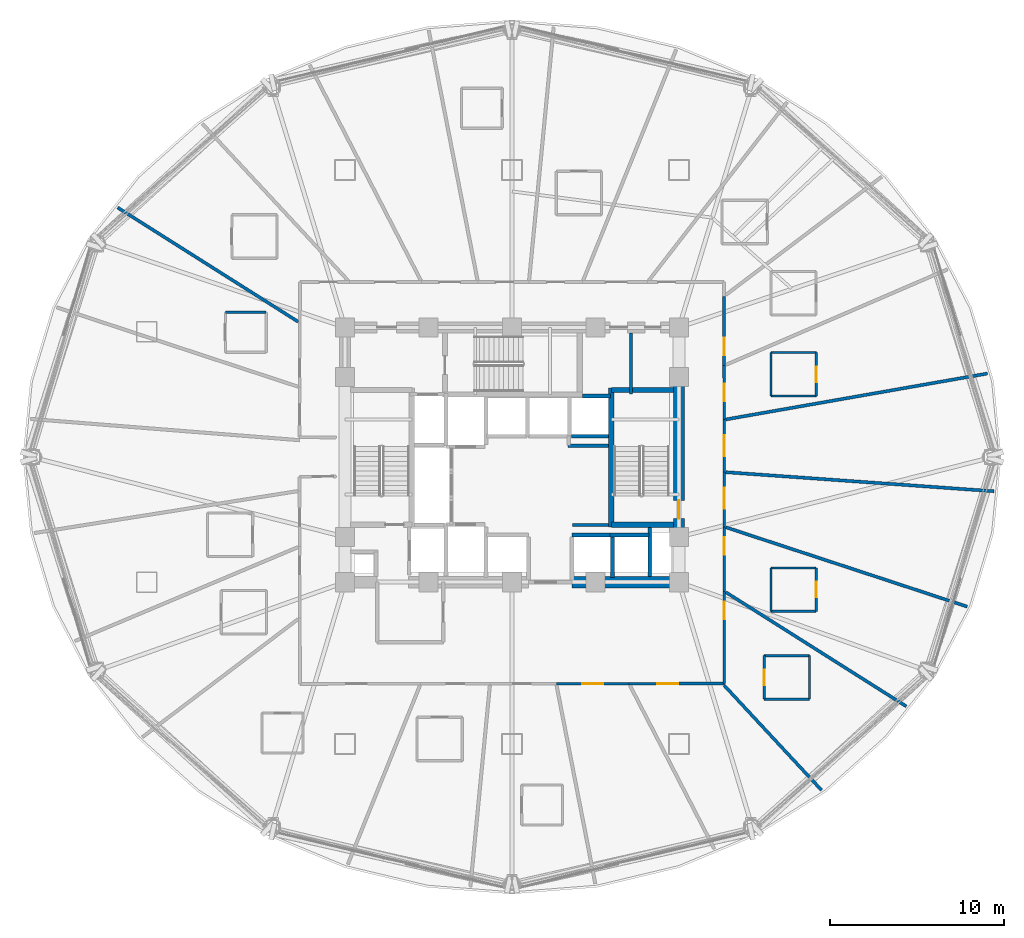
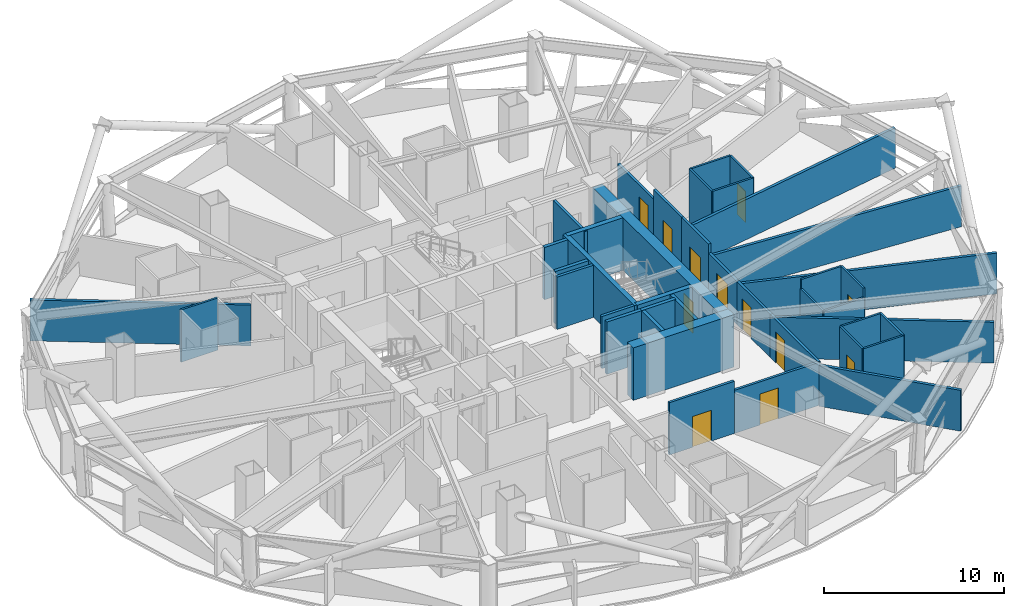
# One storey, part 9 of 16: 41 walls, 12 doors, 12 openings.
"""IFC4 building model written with IfcOpenShell, lengths in metres."""

import ifcopenshell
import ifcopenshell.guid

model = None  # the IFC model being written
_history = None  # IfcOwnerHistory: only IFC2X3 demands one
_inside = {}  # id of a spatial element -> (the spatial element, [elements in it])
_under = {}  # id of a project, library or spatial element -> (it, [spatial elements below it])
_declared = {}  # id of a project -> (the project, [libraries it declares])
_typed = {}  # id of a type object -> (the type object, [elements of that type])
_made_of = {}  # id of a material, layer set ... -> (it, [elements and type objects made of it])


def new_model(schema):
    """Start an empty IFC model of exactly this schema.

    Asked for "IFC4X3", IfcOpenShell would pick the latest addendum, in which some entities
    have other attributes; the version numbers below select the first issue.
    IFC2X3 requires an IfcOwnerHistory on every rooted entity: one is made here for all.
    """
    global model, _history
    if schema == "IFC4X3":
        model = ifcopenshell.file(schema_version=(4, 3, 0, 0))
    else:
        model = ifcopenshell.file(schema=schema)
    _inside.clear()
    _under.clear()
    _declared.clear()
    _typed.clear()
    _made_of.clear()
    _history = None
    if model.schema == "IFC2X3":
        org = make("IfcOrganization", Name="unknown")
        user = make(
            "IfcPersonAndOrganization",
            ThePerson=make("IfcPerson", FamilyName="unknown"),
            TheOrganization=org,
        )
        app = make(
            "IfcApplication",
            ApplicationDeveloper=org,
            Version="unknown",
            ApplicationFullName="unknown",
            ApplicationIdentifier="unknown",
        )
        _history = make(
            "IfcOwnerHistory",
            OwningUser=user,
            OwningApplication=app,
            ChangeAction="ADDED",
            CreationDate=0,
        )
    return model


def make(cls, **values):
    """One entity of the class cls with the attributes given. An attribute that is None is left unset."""
    return model.create_entity(
        cls, **{name: value for name, value in values.items() if value is not None}
    )


def rooted(cls, **values):
    """An entity with a GlobalId (a new one), such as an element, a storey or a relation."""
    return make(cls, GlobalId=ifcopenshell.guid.new(), OwnerHistory=_history, **values)


def si_unit(unit_type, name, prefix=None):
    """IfcSIUnit, for example si_unit("LENGTHUNIT", "METRE", prefix="MILLI")."""
    return make("IfcSIUnit", UnitType=unit_type, Prefix=prefix, Name=name)


def assignment(units):
    """IfcUnitAssignment: the units of a project."""
    return None if units is None else make("IfcUnitAssignment", Units=units)


def point(xyz):
    """IfcCartesianPoint."""
    return None if xyz is None else make("IfcCartesianPoint", Coordinates=xyz)


def direction(xyz):
    """IfcDirection."""
    return None if xyz is None else make("IfcDirection", DirectionRatios=xyz)


def frame(location, z_axis=None, x_axis=None):
    """IfcAxis2Placement3D, a coordinate frame: its origin and axes. An axis left out is left unset."""
    return make(
        "IfcAxis2Placement3D",
        Location=point(location),
        Axis=direction(z_axis),
        RefDirection=direction(x_axis),
    )


def frame_2d(location, x_axis=None):
    """IfcAxis2Placement2D, a coordinate frame in the plane: its origin and x axis."""
    return make(
        "IfcAxis2Placement2D", Location=point(location), RefDirection=direction(x_axis)
    )


def origin():
    """The frame at (0, 0, 0) with its axes left unset."""
    return frame((0.0, 0.0, 0.0))


def place(relative_to, where):
    """IfcLocalPlacement: puts the frame where relative to a parent placement (None: the world)."""
    return make(
        "IfcLocalPlacement", PlacementRelTo=relative_to, RelativePlacement=where
    )


def context(
    kind, dimensions, precision=None, world=None, true_north=None, identifier=None
):
    """IfcGeometricRepresentationContext, for example the 3D "Model" context."""
    return make(
        "IfcGeometricRepresentationContext",
        ContextIdentifier=identifier,
        ContextType=kind,
        CoordinateSpaceDimension=dimensions,
        Precision=precision,
        WorldCoordinateSystem=world,
        TrueNorth=true_north,
    )


def subcontext(parent, identifier, kind, view, scale=None):
    """IfcGeometricRepresentationSubContext, for example "Body" below "Model"."""
    return make(
        "IfcGeometricRepresentationSubContext",
        ContextIdentifier=identifier,
        ContextType=kind,
        ParentContext=parent,
        TargetScale=scale,
        TargetView=view,
    )


def project(units=None, contexts=None):
    """IfcProject with its units and contexts."""
    return rooted(
        "IfcProject",
        Name="project",
        RepresentationContexts=contexts,
        UnitsInContext=assignment(units),
    )


def spatial(cls, under=None, at=None, **own):
    """A site, building, storey or space (cls), placed at a placement, below another one or the project."""
    s = rooted(cls, ObjectPlacement=at, **own)
    if under is not None:
        _under.setdefault(under.id(), (under, []))[1].append(s)
    return s


def profile(cls, at=None, kind="AREA", **sizes):
    """A parametric profile (cls). Its sizes go by their IFC names, for example OverallWidth=200.0."""
    return make(cls, ProfileType=kind, Position=at, **sizes)


def rectangle(**sizes):
    """IfcRectangleProfileDef."""
    return profile("IfcRectangleProfileDef", **sizes)


def extrude(swept, where, along, depth):
    """IfcExtrudedAreaSolid: the profile swept, set in the frame where, extruded along a direction by depth."""
    return make(
        "IfcExtrudedAreaSolid",
        SweptArea=swept,
        Position=where,
        ExtrudedDirection=direction(along),
        Depth=depth,
    )


def shape(context_of_items, identifier, shape_type, items):
    """IfcShapeRepresentation: the items that make up one representation, for example the "Body"."""
    return make(
        "IfcShapeRepresentation",
        ContextOfItems=context_of_items,
        RepresentationIdentifier=identifier,
        RepresentationType=shape_type,
        Items=items,
    )


def material(Name=None, Category=None):
    """IfcMaterial."""
    return make("IfcMaterial", Name=Name, Category=Category)


def layer(
    of_material, thickness, ventilated=None, Name=None, Category=None, Priority=None
):
    """IfcMaterialLayer: one layer of a wall or slab, of a material (None: an air gap)."""
    return make(
        "IfcMaterialLayer",
        Material=of_material,
        LayerThickness=thickness,
        IsVentilated=ventilated,
        Name=Name,
        Category=Category,
        Priority=Priority,
    )


def layer_set(layers, Name=None):
    """IfcMaterialLayerSet."""
    return make("IfcMaterialLayerSet", MaterialLayers=layers, LayerSetName=Name)


def made_of(thing, what):
    """Note that an element or type object is made of a material, layer set ...; save() writes the relation."""
    if what is not None:
        _made_of.setdefault(what.id(), (what, []))[1].append(thing)
    return thing


def type_object(cls, material=None, **own):
    """A type object (cls), such as IfcWallType, which elements share."""
    return made_of(rooted(cls, **own), material)


def element(
    cls,
    number,
    at=None,
    inside=None,
    cuts=None,
    type_object=None,
    material=None,
    context=None,
    identifier="Body",
    shape_type=None,
    held_by="IfcProductDefinitionShape",
    body=None,
    shapes=None,
    **own,
):
    """One element of the class cls, such as IfcWall. Its Tag is "e" and its number.

    at: its placement. inside: the storey or other place that contains it. cuts: it is an
    opening in that element (IfcRelVoidsElement). A single representation is given by context,
    identifier, shape_type and body (its items); several are given by shapes. held_by: the class
    of the entity that holds the representations. save() writes the other relations.
    """
    e = rooted(cls, Tag="e%d" % number, ObjectPlacement=at, **own)
    if body is not None:
        shapes = [shape(context, identifier, shape_type, body)]
    if shapes is not None:
        e.Representation = make(held_by, Representations=shapes)
    if inside is not None:
        _inside.setdefault(inside.id(), (inside, []))[1].append(e)
    if cuts is not None:
        rooted(
            "IfcRelVoidsElement", RelatingBuildingElement=cuts, RelatedOpeningElement=e
        )
    if type_object is not None:
        _typed.setdefault(type_object.id(), (type_object, []))[1].append(e)
    return made_of(e, material)


def fill(opening, filler):
    """IfcRelFillsElement: the door or window that sits in an opening."""
    return rooted(
        "IfcRelFillsElement",
        RelatingOpeningElement=opening,
        RelatedBuildingElement=filler,
    )


def aggregate(whole, parts):
    """IfcRelAggregates: a whole, such as a stair, and the parts it consists of."""
    return rooted("IfcRelAggregates", RelatingObject=whole, RelatedObjects=parts)


def save(model, path):
    """Write the relations noted so far, then the file.

    IfcRelAggregates (storeys below a building ...), IfcRelContainedInSpatialStructure (elements
    in a storey), IfcRelDefinesByType, IfcRelAssociatesMaterial and IfcRelDeclares: one each for
    every whole, place, type object, material and project.
    """
    for whole, parts in _under.values():
        aggregate(whole, parts)
    for where, things in _inside.values():
        rooted(
            "IfcRelContainedInSpatialStructure",
            RelatedElements=things,
            RelatingStructure=where,
        )
    for kind, things in _typed.values():
        rooted("IfcRelDefinesByType", RelatedObjects=things, RelatingType=kind)
    for what, things in _made_of.values():
        rooted("IfcRelAssociatesMaterial", RelatedObjects=things, RelatingMaterial=what)
    for by, libraries in _declared.values():
        rooted("IfcRelDeclares", RelatingContext=by, RelatedDefinitions=libraries)
    model.write(path)


model = new_model("IFC4")

# Units and contexts
model_context = context("Model", 3, precision=1e-05, world=origin(), true_north=direction((0.0, 1.0)))
body_context = subcontext(model_context, "Body", "Model", "MODEL_VIEW")
ifc_project = project(units=[si_unit("LENGTHUNIT", "METRE"), si_unit("AREAUNIT", "SQUARE_METRE"), si_unit("VOLUMEUNIT", "CUBIC_METRE"), si_unit("PLANEANGLEUNIT", "RADIAN"), si_unit("MASSUNIT", "GRAM", prefix="KILO")], contexts=[model_context])

# Site, building, storey
site_placement = place(None, origin())
site = spatial("IfcSite", under=ifc_project, at=site_placement, CompositionType="ELEMENT")
building_placement = place(site_placement, origin())
building = spatial("IfcBuilding", under=site, at=building_placement, Name="Vantalir Tower", CompositionType="ELEMENT")
storey_placement = place(building_placement, frame((0.0, 0.0, 64.5)))
storey = spatial("IfcBuildingStorey", under=building, at=storey_placement, Name="L15", CompositionType="ELEMENT", Elevation=64.5)

# Walls
ifc_material_1 = material(Name="Moisture-resistant en-suite partition", Category="gypsum")
ifc_layer_1 = layer(ifc_material_1, 0.125)
ifc_layer_set_1 = layer_set([ifc_layer_1], Name="Moisture-resistant en-suite partition")
wall_type_1 = type_object("IfcWallType", Name="WL-BATH-125", PredefinedType="PARTITIONING", material=ifc_layer_set_1)
for number, where, z_axis, x_axis, name in (
    (1, (46.39697265625, 28.5009765625, 0.0), (0.0, 0.0, 1.0), (1.0, 0.0, 0.0), "L15 En-suite 01 South Wall"),
    (2, (46.39697265625, 31.0009765625, 0.0), (0.0, 0.0, 1.0), (1.0, 0.0, 0.0), "L15 En-suite 01 North Wall"),
):
    element("IfcWall", number, at=place(storey_placement, frame(where, z_axis=z_axis, x_axis=x_axis)), inside=storey, type_object=wall_type_1, Name=name, PredefinedType="PARTITIONING", context=body_context, shape_type="SweptSolid", body=[
        extrude(rectangle(XDim=2.60009765625, YDim=0.125, at=frame_2d((1.300048828125, 0.0))), origin(), (0.0, 0.0, 1.0), 3.550048828125),
    ])
wall_1_placement = place(storey_placement, frame((46.39697265625, 28.5009765625, 0.0), z_axis=(0.0, 0.0, 1.0), x_axis=(0.0, 1.0, 0.0)))
element("IfcWall", 3, at=wall_1_placement, inside=storey, type_object=wall_type_1, Name="L15 En-suite 01 West Wall", PredefinedType="PARTITIONING", context=body_context, shape_type="SweptSolid", body=[
    extrude(rectangle(XDim=2.5, YDim=0.125, at=frame_2d((1.25, 0.0))), origin(), (0.0, 0.0, 1.0), 3.550048828125),
])

# Wall, opening, door
wall_2_placement = place(storey_placement, frame((48.9970703125, 28.5009765625, 0.0), z_axis=(0.0, 0.0, 1.0), x_axis=(0.0, 1.0, 0.0)))
wall_2 = element("IfcWall", 4, at=wall_2_placement, inside=storey, type_object=wall_type_1, Name="L15 En-suite 01 East Wall", PredefinedType="PARTITIONING", context=body_context, shape_type="SweptSolid", body=[
    extrude(rectangle(XDim=2.5, YDim=0.125, at=frame_2d((1.25, 0.0))), origin(), (0.0, 0.0, 1.0), 3.550048828125),
])
opening_1_placement = place(wall_2_placement, frame((0.800048828125, 0.0, 0.0)))
opening_1 = element("IfcOpeningElement", 5, at=opening_1_placement, cuts=wall_2, Name="Opening D-WC", PredefinedType="OPENING", context=body_context, shape_type="SweptSolid", body=[
    extrude(rectangle(XDim=0.89990234375, YDim=2.10009765625, at=frame_2d((0.449951171875, 1.050048828125))), frame((0.0, 0.072509765625, 0.0), z_axis=(0.0, -1.0, 0.0), x_axis=(1.0, 0.0, 0.0)), (0.0, 0.0, 1.0), 0.14501953125),
])
ifc_material_2 = material(Name="Moisture-resistant hardwood door", Category="wood")
door_type_1 = type_object("IfcDoorType", Name="DR-ENSUITE-900", OperationType="NOTDEFINED", PredefinedType="DOOR", material=ifc_material_2)
door_1_placement = place(opening_1_placement, origin())
door_1 = element("IfcDoor", 6, at=door_1_placement, inside=storey, type_object=door_type_1, Name="L15 En-suite 01 Door", OperationType="SINGLE_SWING_LEFT", OverallHeight=2.10009765625, OverallWidth=0.89990234375, PredefinedType="DOOR", context=body_context, shape_type="SweptSolid", body=[
    extrude(rectangle(XDim=0.89990234375, YDim=2.10009765625, at=frame_2d((0.449951171875, 1.050048828125))), frame((0.0, 0.02490234375, 0.0), z_axis=(0.0, -1.0, 0.0), x_axis=(1.0, 0.0, 0.0)), (0.0, 0.0, 1.0), 0.050048828125),
])
fill(opening_1, door_1)

# Walls
wall_3_placement = place(storey_placement, frame((15.01904296875, 33.322021484375, 0.0), z_axis=(0.0, 0.0, 1.0), x_axis=(1.0, 0.0, 0.0)))
element("IfcWall", 7, at=wall_3_placement, inside=storey, type_object=wall_type_1, Name="L15 En-suite 10 North Wall", PredefinedType="PARTITIONING", context=body_context, shape_type="SweptSolid", body=[
    extrude(rectangle(XDim=2.349853515625, YDim=0.125, at=frame_2d((1.1748046875, 0.0))), origin(), (0.0, 0.0, 1.0), 3.550048828125),
])
for number, where, z_axis, x_axis, name in (
    (8, (46.001953125, 11.073974609375, 0.0), (0.0, 0.0, 1.0), (1.0, 0.0, 0.0), "L15 En-suite 20 South Wall"),
    (9, (46.001953125, 13.573974609375, 0.0), (0.0, 0.0, 1.0), (1.0, 0.0, 0.0), "L15 En-suite 20 North Wall"),
):
    element("IfcWall", number, at=place(storey_placement, frame(where, z_axis=z_axis, x_axis=x_axis)), inside=storey, type_object=wall_type_1, Name=name, PredefinedType="PARTITIONING", context=body_context, shape_type="SweptSolid", body=[
        extrude(rectangle(XDim=2.60009765625, YDim=0.125, at=frame_2d((1.300048828125, 0.0))), origin(), (0.0, 0.0, 1.0), 3.550048828125),
    ])

# Wall, opening, door
wall_4_placement = place(storey_placement, frame((46.001953125, 11.073974609375, 0.0), z_axis=(0.0, 0.0, 1.0), x_axis=(0.0, 1.0, 0.0)))
wall_4 = element("IfcWall", 10, at=wall_4_placement, inside=storey, type_object=wall_type_1, Name="L15 En-suite 20 West Wall", PredefinedType="PARTITIONING", context=body_context, shape_type="SweptSolid", body=[
    extrude(rectangle(XDim=2.5, YDim=0.125, at=frame_2d((1.25, 0.0))), origin(), (0.0, 0.0, 1.0), 3.550048828125),
])
opening_2_placement = place(wall_4_placement, frame((0.800048828125, 0.0, 0.0)))
opening_2 = element("IfcOpeningElement", 11, at=opening_2_placement, cuts=wall_4, Name="Opening D-WC", PredefinedType="OPENING", context=body_context, shape_type="SweptSolid", body=[
    extrude(rectangle(XDim=0.89990234375, YDim=2.10009765625, at=frame_2d((0.449951171875, 1.050048828125))), frame((0.0, 0.072509765625, 0.0), z_axis=(0.0, -1.0, 0.0), x_axis=(1.0, 0.0, 0.0)), (0.0, 0.0, 1.0), 0.14501953125),
])
door_2_placement = place(opening_2_placement, frame((0.89990234375, 0.0, 0.0), z_axis=(0.0, 0.0, 1.0), x_axis=(-1.0, 0.0, 0.0)))
door_2 = element("IfcDoor", 12, at=door_2_placement, inside=storey, type_object=door_type_1, Name="L15 En-suite 20 Door", OperationType="SINGLE_SWING_RIGHT", OverallHeight=2.10009765625, OverallWidth=0.89990234375, PredefinedType="DOOR", context=body_context, shape_type="SweptSolid", body=[
    extrude(rectangle(XDim=0.89990234375, YDim=2.10009765625, at=frame_2d((0.449951171875, 1.050048828125))), frame((0.0, 0.02490234375, 0.0), z_axis=(0.0, -1.0, 0.0), x_axis=(1.0, 0.0, 0.0)), (0.0, 0.0, 1.0), 0.050048828125),
])
fill(opening_2, door_2)

# Walls
wall_5_placement = place(storey_placement, frame((48.60205078125, 11.073974609375, 0.0), z_axis=(0.0, 0.0, 1.0), x_axis=(0.0, 1.0, 0.0)))
element("IfcWall", 13, at=wall_5_placement, inside=storey, type_object=wall_type_1, Name="L15 En-suite 20 East Wall", PredefinedType="PARTITIONING", context=body_context, shape_type="SweptSolid", body=[
    extrude(rectangle(XDim=2.5, YDim=0.125, at=frame_2d((1.25, 0.0))), origin(), (0.0, 0.0, 1.0), 3.550048828125),
])
wall_6_placement = place(storey_placement, frame((46.39111328125, 16.1259765625, 0.0), z_axis=(0.0, 0.0, 1.0), x_axis=(1.0, 0.0, 0.0)))
element("IfcWall", 14, at=wall_6_placement, inside=storey, type_object=wall_type_1, Name="L15 En-suite 21 South Wall", PredefinedType="PARTITIONING", context=body_context, shape_type="SweptSolid", body=[
    extrude(rectangle(XDim=2.599853515625, YDim=0.125, at=frame_2d((1.2998046875, 0.0))), origin(), (0.0, 0.0, 1.0), 2.927978515625),
])
wall_7_placement = place(storey_placement, frame((46.39111328125, 18.6259765625, 0.0), z_axis=(0.0, 0.0, 1.0), x_axis=(1.0, 0.0, 0.0)))
element("IfcWall", 15, at=wall_7_placement, inside=storey, type_object=wall_type_1, Name="L15 En-suite 21 North Wall", PredefinedType="PARTITIONING", context=body_context, shape_type="SweptSolid", body=[
    extrude(rectangle(XDim=2.599853515625, YDim=0.125, at=frame_2d((1.2998046875, 0.0))), origin(), (0.0, 0.0, 1.0), 3.550048828125),
])
wall_8_placement = place(storey_placement, frame((46.39111328125, 16.1259765625, 0.0), z_axis=(0.0, 0.0, 1.0), x_axis=(0.0, 1.0, 0.0)))
element("IfcWall", 16, at=wall_8_placement, inside=storey, type_object=wall_type_1, Name="L15 En-suite 21 West Wall", PredefinedType="PARTITIONING", context=body_context, shape_type="SweptSolid", body=[
    extrude(rectangle(XDim=2.5, YDim=0.125, at=frame_2d((1.25, 0.0))), origin(), (0.0, 0.0, 1.0), 2.927978515625),
])

# Wall, opening, door
wall_9_placement = place(storey_placement, frame((48.990966796875, 16.1259765625, 0.0), z_axis=(0.0, 0.0, 1.0), x_axis=(0.0, 1.0, 0.0)))
wall_9 = element("IfcWall", 17, at=wall_9_placement, inside=storey, type_object=wall_type_1, Name="L15 En-suite 21 East Wall", PredefinedType="PARTITIONING", context=body_context, shape_type="SweptSolid", body=[
    extrude(rectangle(XDim=2.5, YDim=0.125, at=frame_2d((1.25, 0.0))), origin(), (0.0, 0.0, 1.0), 3.550048828125),
])
opening_3_placement = place(wall_9_placement, frame((0.800048828125, 0.0, 0.0)))
opening_3 = element("IfcOpeningElement", 18, at=opening_3_placement, cuts=wall_9, Name="Opening D-WC", PredefinedType="OPENING", context=body_context, shape_type="SweptSolid", body=[
    extrude(rectangle(XDim=0.89990234375, YDim=2.10009765625, at=frame_2d((0.449951171875, 1.050048828125))), frame((0.0, 0.072509765625, 0.0), z_axis=(0.0, -1.0, 0.0), x_axis=(1.0, 0.0, 0.0)), (0.0, 0.0, 1.0), 0.14501953125),
])
door_3_placement = place(opening_3_placement, origin())
door_3 = element("IfcDoor", 19, at=door_3_placement, inside=storey, type_object=door_type_1, Name="L15 En-suite 21 Door", OperationType="SINGLE_SWING_LEFT", OverallHeight=2.10009765625, OverallWidth=0.89990234375, PredefinedType="DOOR", context=body_context, shape_type="SweptSolid", body=[
    extrude(rectangle(XDim=0.89990234375, YDim=2.10009765625, at=frame_2d((0.449951171875, 1.050048828125))), frame((0.0, 0.02490234375, 0.0), z_axis=(0.0, -1.0, 0.0), x_axis=(1.0, 0.0, 0.0)), (0.0, 0.0, 1.0), 0.050048828125),
])
fill(opening_3, door_3)

# Wall
ifc_material_3 = material(Name="Concrete C60/75", Category="concrete")
ifc_layer_2 = layer(ifc_material_3, 0.64990234375)
ifc_layer_set_2 = layer_set([ifc_layer_2], Name="Concrete C60/75")
wall_type_2 = type_object("IfcWallType", Name="WL-CORE-650", PredefinedType="SHEAR", material=ifc_layer_set_2)
wall_10_placement = place(storey_placement, frame((34.949951171875, 17.800048828125, 0.0), z_axis=(0.0, 0.0, 1.0), x_axis=(1.0, 0.0, 0.0)))
element("IfcWall", 20, at=wall_10_placement, inside=storey, type_object=wall_type_2, Name="L15 Core Shear Wall South-East", PredefinedType="SHEAR", context=body_context, shape_type="SweptSolid", body=[
    extrude(rectangle(XDim=6.47509765625, YDim=0.64990234375, at=frame_2d((3.237548828125, 0.0))), origin(), (0.0, 0.0, 1.0), 3.570068359375),
])

# Wall, opening, door
wall_11_placement = place(storey_placement, frame((41.10009765625, 18.125, 0.0), z_axis=(0.0, 0.0, 1.0), x_axis=(0.0, 1.0, 0.0)))
wall_11 = element("IfcWall", 21, at=wall_11_placement, inside=storey, type_object=wall_type_2, Name="L15 Core Shear Wall East", PredefinedType="SHEAR", context=body_context, shape_type="SweptSolid", body=[
    extrude(rectangle(XDim=14.0, YDim=0.64990234375, at=frame_2d((7.0, 0.0))), origin(), (0.0, 0.0, 1.0), 3.570068359375),
])
opening_4_placement = place(wall_11_placement, frame((3.3349609375, 0.0, 0.0)))
opening_4 = element("IfcOpeningElement", 22, at=opening_4_placement, cuts=wall_11, Name="Opening D-ST", PredefinedType="OPENING", context=body_context, shape_type="SweptSolid", body=[
    extrude(rectangle(XDim=1.050048828125, YDim=2.10009765625, at=frame_2d((0.52490234375, 1.050048828125))), frame((0.0, 0.3349609375, 0.0), z_axis=(0.0, -1.0, 0.0), x_axis=(1.0, 0.0, 0.0)), (0.0, 0.0, 1.0), 0.669921875),
])
ifc_material_4 = material(Name="Fire-rated steel door leaf", Category="steel")
door_type_2 = type_object("IfcDoorType", Name="DR-FIRE-STAIR-1050", OperationType="NOTDEFINED", PredefinedType="DOOR", material=ifc_material_4)
door_4_placement = place(opening_4_placement, origin())
door_4 = element("IfcDoor", 23, at=door_4_placement, inside=storey, type_object=door_type_2, Name="L15 Exit Stair ST2 Fire Door", OperationType="SINGLE_SWING_LEFT", OverallHeight=2.10009765625, OverallWidth=1.050048828125, PredefinedType="DOOR", context=body_context, shape_type="SweptSolid", body=[
    extrude(rectangle(XDim=1.050048828125, YDim=2.10009765625, at=frame_2d((0.52490234375, 1.050048828125))), frame((0.0, 0.02490234375, 0.0), z_axis=(0.0, -1.0, 0.0), x_axis=(1.0, 0.0, 0.0)), (0.0, 0.0, 1.0), 0.050048828125),
])
fill(opening_4, door_4)

ifc_material_5 = material(Name="Fire-rated hotel corridor acoustic partition", Category="gypsum")
ifc_layer_3 = layer(ifc_material_5, 0.159912109375)
ifc_layer_set_3 = layer_set([ifc_layer_3], Name="Fire-rated hotel corridor acoustic partition")
wall_type_3 = type_object("IfcWallType", Name="WL-CORR-160", PredefinedType="PARTITIONING", material=ifc_layer_set_3)
wall_12_placement = place(storey_placement, frame((43.694091796875, 34.241943359375, 0.0), z_axis=(0.0, 0.0, 1.0), x_axis=(0.00073479865, -0.999999730035, 0.0)))
wall_12 = element("IfcWall", 24, at=wall_12_placement, inside=storey, type_object=wall_type_3, Name="L15 Corridor Partition 13", PredefinedType="PARTITIONING", context=body_context, shape_type="SweptSolid", body=[
    extrude(rectangle(XDim=3.987060546875, YDim=0.159912109375, at=frame_2d((1.99365234375, 0.0))), origin(), (0.0, 0.0, 1.0), 2.887939453125),
])
opening_5_placement = place(wall_12_placement, frame((2.383056640625, 0.0, 0.0)))
opening_5 = element("IfcOpeningElement", 25, at=opening_5_placement, cuts=wall_12, Name="Opening D-GUEST", PredefinedType="OPENING", context=body_context, shape_type="SweptSolid", body=[
    extrude(rectangle(XDim=1.0, YDim=2.10009765625, at=frame_2d((0.5, 1.050048828125))), frame((0.0, 0.08984375, 0.0), z_axis=(0.0, -1.0, 0.0), x_axis=(1.0, 0.0, 0.0)), (0.0, 0.0, 1.0), 0.179931640625),
])
ifc_material_6 = material(Name="Solid-core teak veneer acoustic fire door", Category="wood")
door_type_3 = type_object("IfcDoorType", Name="DR-GUEST-ENTRY-1000", OperationType="NOTDEFINED", PredefinedType="DOOR", material=ifc_material_6)
door_5_placement = place(opening_5_placement, origin())
door_5 = element("IfcDoor", 26, at=door_5_placement, inside=storey, type_object=door_type_3, Name="L15 Deluxe King Hotel Room 02 Door", OperationType="SINGLE_SWING_RIGHT", OverallHeight=2.10009765625, OverallWidth=1.0, PredefinedType="DOOR", context=body_context, shape_type="SweptSolid", body=[
    extrude(rectangle(XDim=1.0, YDim=2.10009765625, at=frame_2d((0.5, 1.050048828125))), frame((0.0, 0.02490234375, 0.0), z_axis=(0.0, -1.0, 0.0), x_axis=(1.0, 0.0, 0.0)), (0.0, 0.0, 1.0), 0.050048828125),
])
fill(opening_5, door_5)

wall_13_placement = place(storey_placement, frame((43.697021484375, 30.2548828125, 0.0), z_axis=(0.0, 0.0, 1.0), x_axis=(0.000627450857, -0.999999803153, 0.0)))
wall_13 = element("IfcWall", 27, at=wall_13_placement, inside=storey, type_object=wall_type_3, Name="L15 Corridor Partition 14", PredefinedType="PARTITIONING", context=body_context, shape_type="SweptSolid", body=[
    extrude(rectangle(XDim=3.11279296875, YDim=0.159912109375, at=frame_2d((1.556396484375, 0.0))), origin(), (0.0, 0.0, 1.0), 3.550048828125),
])
opening_6_placement = place(wall_13_placement, frame((1.056884765625, 0.0, 0.0)))
opening_6 = element("IfcOpeningElement", 28, at=opening_6_placement, cuts=wall_13, Name="Opening D-GUEST", PredefinedType="OPENING", context=body_context, shape_type="SweptSolid", body=[
    extrude(rectangle(XDim=1.0, YDim=2.10009765625, at=frame_2d((0.5, 1.050048828125))), frame((0.0, 0.08984375, 0.0), z_axis=(0.0, -1.0, 0.0), x_axis=(1.0, 0.0, 0.0)), (0.0, 0.0, 1.0), 0.179931640625),
])
door_6_placement = place(opening_6_placement, origin())
door_6 = element("IfcDoor", 29, at=door_6_placement, inside=storey, type_object=door_type_3, Name="L15 Twin Queen Hotel Room 01 Door", OperationType="SINGLE_SWING_LEFT", OverallHeight=2.10009765625, OverallWidth=1.0, PredefinedType="DOOR", context=body_context, shape_type="SweptSolid", body=[
    extrude(rectangle(XDim=1.0, YDim=2.10009765625, at=frame_2d((0.5, 1.050048828125))), frame((0.0, 0.02490234375, 0.0), z_axis=(0.0, -1.0, 0.0), x_axis=(1.0, 0.0, 0.0)), (0.0, 0.0, 1.0), 0.050048828125),
])
fill(opening_6, door_6)

wall_14_placement = place(storey_placement, frame((43.698974609375, 27.14208984375, 0.0), z_axis=(0.0, 0.0, 1.0), x_axis=(0.00097363037, -0.999999526022, 0.0)))
wall_14 = element("IfcWall", 30, at=wall_14_placement, inside=storey, type_object=wall_type_3, Name="L15 Corridor Partition 15", PredefinedType="PARTITIONING", context=body_context, shape_type="SweptSolid", body=[
    extrude(rectangle(XDim=3.009033203125, YDim=0.159912109375, at=frame_2d((1.50439453125, 0.0))), origin(), (0.0, 0.0, 1.0), 3.550048828125),
])
opening_7_placement = place(wall_14_placement, frame((0.905029296875, 0.0, 0.0)))
opening_7 = element("IfcOpeningElement", 31, at=opening_7_placement, cuts=wall_14, Name="Opening D-STE", PredefinedType="OPENING", context=body_context, shape_type="SweptSolid", body=[
    extrude(rectangle(XDim=1.199951171875, YDim=2.10009765625, at=frame_2d((0.60009765625, 1.050048828125))), frame((0.0, 0.08984375, 0.0), z_axis=(0.0, -1.0, 0.0), x_axis=(1.0, 0.0, 0.0)), (0.0, 0.0, 1.0), 0.179931640625),
])
ifc_material_7 = material(Name="Solid-core teak veneer suite entrance door", Category="wood")
door_type_4 = type_object("IfcDoorType", Name="DR-SUITE-ENTRY-1200", OperationType="NOTDEFINED", PredefinedType="DOOR", material=ifc_material_7)
door_7_placement = place(opening_7_placement, origin())
door_7 = element("IfcDoor", 32, at=door_7_placement, inside=storey, type_object=door_type_4, Name="L15 Executive Sky Boardroom 23 Door", OperationType="SINGLE_SWING_LEFT", OverallHeight=2.10009765625, OverallWidth=1.199951171875, PredefinedType="DOOR", context=body_context, shape_type="SweptSolid", body=[
    extrude(rectangle(XDim=1.199951171875, YDim=2.10009765625, at=frame_2d((0.60009765625, 1.050048828125))), frame((0.0, 0.02490234375, 0.0), z_axis=(0.0, -1.0, 0.0), x_axis=(1.0, 0.0, 0.0)), (0.0, 0.0, 1.0), 0.050048828125),
])
fill(opening_7, door_7)

wall_15_placement = place(storey_placement, frame((43.701904296875, 24.133056640625, 0.0), z_axis=(0.0, 0.0, 1.0), x_axis=(0.000698649108, -0.999999755945, 0.0)))
wall_15 = element("IfcWall", 33, at=wall_15_placement, inside=storey, type_object=wall_type_3, Name="L15 Corridor Partition 16", PredefinedType="PARTITIONING", context=body_context, shape_type="SweptSolid", body=[
    extrude(rectangle(XDim=3.14501953125, YDim=0.159912109375, at=frame_2d((1.572509765625, 0.0))), origin(), (0.0, 0.0, 1.0), 2.927978515625),
])
opening_8_placement = place(wall_15_placement, frame((0.89892578125, 0.0, 0.0)))
opening_8 = element("IfcOpeningElement", 34, at=opening_8_placement, cuts=wall_15, Name="Opening D-STE", PredefinedType="OPENING", context=body_context, shape_type="SweptSolid", body=[
    extrude(rectangle(XDim=1.199951171875, YDim=2.10009765625, at=frame_2d((0.60009765625, 1.050048828125))), frame((0.0, 0.08984375, 0.0), z_axis=(0.0, -1.0, 0.0), x_axis=(1.0, 0.0, 0.0)), (0.0, 0.0, 1.0), 0.179931640625),
])
door_8_placement = place(opening_8_placement, origin())
door_8 = element("IfcDoor", 35, at=door_8_placement, inside=storey, type_object=door_type_4, Name="L15 Club Reading Lounge 22 Door", OperationType="SINGLE_SWING_RIGHT", OverallHeight=2.10009765625, OverallWidth=1.199951171875, PredefinedType="DOOR", context=body_context, shape_type="SweptSolid", body=[
    extrude(rectangle(XDim=1.199951171875, YDim=2.10009765625, at=frame_2d((0.60009765625, 1.050048828125))), frame((0.0, 0.02490234375, 0.0), z_axis=(0.0, -1.0, 0.0), x_axis=(1.0, 0.0, 0.0)), (0.0, 0.0, 1.0), 0.050048828125),
])
fill(opening_8, door_8)

wall_16_placement = place(storey_placement, frame((43.7041015625, 20.988037109375, 0.0), z_axis=(0.0, 0.0, 1.0), x_axis=(0.000790097199, -0.999999687873, 0.0)))
wall_16 = element("IfcWall", 36, at=wall_16_placement, inside=storey, type_object=wall_type_3, Name="L15 Corridor Partition 17", PredefinedType="PARTITIONING", context=body_context, shape_type="SweptSolid", body=[
    extrude(rectangle(XDim=3.7080078125, YDim=0.159912109375, at=frame_2d((1.85400390625, 0.0))), origin(), (0.0, 0.0, 1.0), 2.927978515625),
])
opening_9_placement = place(wall_16_placement, frame((0.60791015625, 0.0, 0.0)))
opening_9 = element("IfcOpeningElement", 37, at=opening_9_placement, cuts=wall_16, Name="Opening D-GUEST", PredefinedType="OPENING", context=body_context, shape_type="SweptSolid", body=[
    extrude(rectangle(XDim=1.0, YDim=2.10009765625, at=frame_2d((0.5, 1.050048828125))), frame((0.0, 0.08984375, 0.0), z_axis=(0.0, -1.0, 0.0), x_axis=(1.0, 0.0, 0.0)), (0.0, 0.0, 1.0), 0.179931640625),
])
door_9_placement = place(opening_9_placement, origin())
door_9 = element("IfcDoor", 38, at=door_9_placement, inside=storey, type_object=door_type_3, Name="L15 Deluxe King Hotel Room 21 Door", OperationType="SINGLE_SWING_LEFT", OverallHeight=2.10009765625, OverallWidth=1.0, PredefinedType="DOOR", context=body_context, shape_type="SweptSolid", body=[
    extrude(rectangle(XDim=1.0, YDim=2.10009765625, at=frame_2d((0.5, 1.050048828125))), frame((0.0, 0.02490234375, 0.0), z_axis=(0.0, -1.0, 0.0), x_axis=(1.0, 0.0, 0.0)), (0.0, 0.0, 1.0), 0.050048828125),
])
fill(opening_9, door_9)

wall_17_placement = place(storey_placement, frame((43.70703125, 17.280029296875, 0.0), z_axis=(0.0, 0.0, 1.0), x_axis=(0.000551825539, -0.999999847744, 0.0)))
wall_17 = element("IfcWall", 39, at=wall_17_placement, inside=storey, type_object=wall_type_3, Name="L15 Corridor Partition 18", PredefinedType="PARTITIONING", context=body_context, shape_type="SweptSolid", body=[
    extrude(rectangle(XDim=5.30908203125, YDim=0.159912109375, at=frame_2d((2.654541015625, 0.0))), origin(), (0.0, 0.0, 1.0), 2.927978515625),
])
opening_10_placement = place(wall_17_placement, frame((0.60302734375, 0.0, 0.0)))
opening_10 = element("IfcOpeningElement", 40, at=opening_10_placement, cuts=wall_17, Name="Opening D-GUEST", PredefinedType="OPENING", context=body_context, shape_type="SweptSolid", body=[
    extrude(rectangle(XDim=1.0, YDim=2.10009765625, at=frame_2d((0.5, 1.050048828125))), frame((0.0, 0.08984375, 0.0), z_axis=(0.0, -1.0, 0.0), x_axis=(1.0, 0.0, 0.0)), (0.0, 0.0, 1.0), 0.179931640625),
])
door_10_placement = place(opening_10_placement, origin())
door_10 = element("IfcDoor", 41, at=door_10_placement, inside=storey, type_object=door_type_3, Name="L15 Twin Queen Hotel Room 20 Door", OperationType="SINGLE_SWING_RIGHT", OverallHeight=2.10009765625, OverallWidth=1.0, PredefinedType="DOOR", context=body_context, shape_type="SweptSolid", body=[
    extrude(rectangle(XDim=1.0, YDim=2.10009765625, at=frame_2d((0.5, 1.050048828125))), frame((0.0, 0.02490234375, 0.0), z_axis=(0.0, -1.0, 0.0), x_axis=(1.0, 0.0, 0.0)), (0.0, 0.0, 1.0), 0.050048828125),
])
fill(opening_10, door_10)

wall_18_placement = place(storey_placement, frame((43.7099609375, 11.970947265625, 0.0), z_axis=(0.0, 0.0, 1.0), x_axis=(-0.999999746124, -0.000712567736, 0.0)))
wall_18 = element("IfcWall", 42, at=wall_18_placement, inside=storey, type_object=wall_type_3, Name="L15 Corridor Partition 19", PredefinedType="PARTITIONING", context=body_context, shape_type="SweptSolid", body=[
    extrude(rectangle(XDim=5.48193359375, YDim=0.159912109375, at=frame_2d((2.740966796875, 0.0))), origin(), (0.0, 0.0, 1.0), 2.927978515625),
])
opening_11_placement = place(wall_18_placement, frame((2.655029296875, 0.0, 0.0)))
opening_11 = element("IfcOpeningElement", 43, at=opening_11_placement, cuts=wall_18, Name="Opening D-STE", PredefinedType="OPENING", context=body_context, shape_type="SweptSolid", body=[
    extrude(rectangle(XDim=1.199951171875, YDim=2.10009765625, at=frame_2d((0.60009765625, 1.050048828125))), frame((0.0, 0.08984375, 0.0), z_axis=(0.0, -1.0, 0.0), x_axis=(1.0, 0.0, 0.0)), (0.0, 0.0, 1.0), 0.179931640625),
])
door_11_placement = place(opening_11_placement, origin())
door_11 = element("IfcDoor", 44, at=door_11_placement, inside=storey, type_object=door_type_4, Name="L15 Executive Sky Boardroom 19 Door", OperationType="SINGLE_SWING_LEFT", OverallHeight=2.10009765625, OverallWidth=1.199951171875, PredefinedType="DOOR", context=body_context, shape_type="SweptSolid", body=[
    extrude(rectangle(XDim=1.199951171875, YDim=2.10009765625, at=frame_2d((0.60009765625, 1.050048828125))), frame((0.0, 0.02490234375, 0.0), z_axis=(0.0, -1.0, 0.0), x_axis=(1.0, 0.0, 0.0)), (0.0, 0.0, 1.0), 0.050048828125),
])
fill(opening_11, door_11)

wall_19_placement = place(storey_placement, frame((38.22802734375, 11.967041015625, 0.0), z_axis=(0.0, 0.0, 1.0), x_axis=(-0.999999890999, -0.000466907852, 0.0)))
wall_19 = element("IfcWall", 45, at=wall_19_placement, inside=storey, type_object=wall_type_3, Name="L15 Corridor Partition 20", PredefinedType="PARTITIONING", context=body_context, shape_type="SweptSolid", body=[
    extrude(rectangle(XDim=4.18310546875, YDim=0.159912109375, at=frame_2d((2.091552734375, 0.0))), origin(), (0.0, 0.0, 1.0), 3.550048828125),
])
opening_12_placement = place(wall_19_placement, frame((1.491943359375, 0.0, 0.0)))
opening_12 = element("IfcOpeningElement", 46, at=opening_12_placement, cuts=wall_19, Name="Opening D-STE", PredefinedType="OPENING", context=body_context, shape_type="SweptSolid", body=[
    extrude(rectangle(XDim=1.199951171875, YDim=2.10009765625, at=frame_2d((0.60009765625, 1.050048828125))), frame((0.0, 0.08984375, 0.0), z_axis=(0.0, -1.0, 0.0), x_axis=(1.0, 0.0, 0.0)), (0.0, 0.0, 1.0), 0.179931640625),
])
door_12_placement = place(opening_12_placement, origin())
door_12 = element("IfcDoor", 47, at=door_12_placement, inside=storey, type_object=door_type_4, Name="L15 Club Reading Lounge 18 Door", OperationType="SINGLE_SWING_RIGHT", OverallHeight=2.10009765625, OverallWidth=1.199951171875, PredefinedType="DOOR", context=body_context, shape_type="SweptSolid", body=[
    extrude(rectangle(XDim=1.199951171875, YDim=2.10009765625, at=frame_2d((0.60009765625, 1.050048828125))), frame((0.0, 0.02490234375, 0.0), z_axis=(0.0, -1.0, 0.0), x_axis=(1.0, 0.0, 0.0)), (0.0, 0.0, 1.0), 0.050048828125),
])
fill(opening_12, door_12)

# Walls
ifc_material_8 = material(Name="Concrete blockwork with fireboard lining", Category="masonry")
ifc_layer_4 = layer(ifc_material_8, 0.219970703125)
ifc_layer_set_4 = layer_set([ifc_layer_4], Name="Concrete blockwork with fireboard lining")
wall_type_4 = type_object("IfcWallType", Name="WL-FFL-220", PredefinedType="PARTITIONING", material=ifc_layer_set_4)
wall_20_placement = place(storey_placement, frame((37.27490234375, 18.080078125, 0.0), z_axis=(0.0, 0.0, 1.0), x_axis=(0.0, 1.0, 0.0)))
element("IfcWall", 48, at=wall_20_placement, inside=storey, type_object=wall_type_4, Name="L15 Shuttle Lift PL-X2/X3 Shaft Divider", PredefinedType="PARTITIONING", context=body_context, shape_type="SweptSolid", body=[
    extrude(rectangle(XDim=2.309814453125, YDim=0.219970703125, at=frame_2d((1.15478515625, 0.0))), origin(), (0.0, 0.0, 1.0), 3.544921875),
])
wall_21_placement = place(storey_placement, frame((34.909912109375, 26.18994140625, 0.0), z_axis=(0.0, 0.0, 1.0), x_axis=(1.0, 0.0, 0.0)))
element("IfcWall", 49, at=wall_21_placement, inside=storey, type_object=wall_type_4, Name="L15 High-Rise Lift PL-H3 Rear Shaft Wall", PredefinedType="PARTITIONING", context=body_context, shape_type="SweptSolid", body=[
    extrude(rectangle(XDim=2.14013671875, YDim=0.219970703125, at=frame_2d((1.070068359375, 0.0))), origin(), (0.0, 0.0, 1.0), 3.544921875),
])
wall_22_placement = place(storey_placement, frame((39.419921875, 18.125, 0.0), z_axis=(0.0, 0.0, 1.0), x_axis=(0.0, 1.0, 0.0)))
element("IfcWall", 50, at=wall_22_placement, inside=storey, type_object=wall_type_4, Name="L15 East MEP Riser Wall W", PredefinedType="PARTITIONING", context=body_context, shape_type="SweptSolid", body=[
    extrude(rectangle(XDim=2.824951171875, YDim=0.219970703125, at=frame_2d((1.41259765625, 0.0))), origin(), (0.0, 0.0, 1.0), 3.550048828125),
])
for number, where, z_axis, x_axis, name in (
    (51, (37.139892578125, 20.510009765625, 0.0), (0.0, 0.0, 1.0), (1.0, 0.0, 0.0), "L15 Lift PL-X2 Shaft Rear Wall"),
    (52, (34.93994140625, 20.510009765625, 0.0), (0.0, 0.0, 1.0), (1.0, 0.0, 0.0), "L15 Lift PL-X3 Shaft Front Wall"),
):
    element("IfcWall", number, at=place(storey_placement, frame(where, z_axis=z_axis, x_axis=x_axis)), inside=storey, type_object=wall_type_4, Name=name, PredefinedType="PARTITIONING", context=body_context, shape_type="SweptSolid", body=[
        extrude(rectangle(XDim=2.239990234375, YDim=0.219970703125, at=frame_2d((1.1201171875, 0.0))), origin(), (0.0, 0.0, 1.0), 3.550048828125),
    ])
wall_23_placement = place(storey_placement, frame((35.56005859375, 28.510009765625, 0.0), z_axis=(0.0, 0.0, 1.0), x_axis=(1.0, 0.0, 0.0)))
element("IfcWall", 53, at=wall_23_placement, inside=storey, type_object=wall_type_4, Name="L15 Lift PL-H3 Shaft Front Wall", PredefinedType="PARTITIONING", context=body_context, shape_type="SweptSolid", body=[
    extrude(rectangle(XDim=1.599853515625, YDim=0.219970703125, at=frame_2d((0.7998046875, 0.0))), origin(), (0.0, 0.0, 1.0), 3.550048828125),
])
ifc_material_9 = material(Name="Twin-stud acoustic fire-rated gypsum partition", Category="gypsum")
ifc_layer_5 = layer(ifc_material_9, 0.179931640625)
ifc_layer_set_5 = layer_set([ifc_layer_5], Name="Twin-stud acoustic fire-rated gypsum partition")
wall_type_5 = type_object("IfcWallType", Name="WL-GUEST-180", PredefinedType="PARTITIONING", material=ifc_layer_set_5)
wall_24_placement = place(storey_placement, frame((34.97998046875, 21.10009765625, 0.0), z_axis=(0.0, 0.0, 1.0), x_axis=(1.0, 0.0, 0.0)))
element("IfcWall", 54, at=wall_24_placement, inside=storey, type_object=wall_type_5, Name="L15 Freed East Core South Wall", PredefinedType="PARTITIONING", context=body_context, shape_type="SweptSolid", body=[
    extrude(rectangle(XDim=2.080078125, YDim=0.179931640625, at=frame_2d((1.0400390625, 0.0))), origin(), (0.0, 0.0, 1.0), 3.550048828125),
])
wall_25_placement = place(storey_placement, frame((34.719970703125, 25.64990234375, 0.0), z_axis=(0.0, 0.0, 1.0), x_axis=(1.0, 0.0, 0.0)))
element("IfcWall", 55, at=wall_25_placement, inside=storey, type_object=wall_type_5, Name="L15 Freed East Core North Wall", PredefinedType="PARTITIONING", context=body_context, shape_type="SweptSolid", body=[
    extrude(rectangle(XDim=2.340087890625, YDim=0.179931640625, at=frame_2d((1.169921875, 0.0))), origin(), (0.0, 0.0, 1.0), 3.550048828125),
])
wall_26_placement = place(storey_placement, frame((38.340087890625, 28.6201171875, 0.0), z_axis=(0.0, 0.0, 1.0), x_axis=(0.0, 1.0, 0.0)))
element("IfcWall", 56, at=wall_26_placement, inside=storey, type_object=wall_type_5, Name="L15 High-Rise Lift Lobby East Wall", PredefinedType="PARTITIONING", context=body_context, shape_type="SweptSolid", body=[
    extrude(rectangle(XDim=3.5048828125, YDim=0.179931640625, at=frame_2d((1.75244140625, 0.0))), origin(), (0.0, 0.0, 1.0), 3.550048828125),
])
wall_27_placement = place(storey_placement, frame((43.7900390625, 27.157958984375, 0.0), z_axis=(0.0, 0.0, 1.0), x_axis=(0.984936685783, 0.172915369471, 0.0)))
element("IfcWall", 57, at=wall_27_placement, inside=storey, type_object=wall_type_5, Name="L15 Radial Suite Partition 01", PredefinedType="PARTITIONING", context=body_context, shape_type="SweptSolid", body=[
    extrude(rectangle(XDim=15.27392578125, YDim=0.179931640625, at=frame_2d((7.636962890625, 0.0))), origin(), (0.0, 0.0, 1.0), 2.735107421875),
])
wall_28_placement = place(storey_placement, frame((19.2099609375, 32.77294921875, 0.0), z_axis=(0.0, 0.0, 1.0), x_axis=(-0.845148426003, 0.534531699738, 0.0)))
element("IfcWall", 58, at=wall_28_placement, inside=storey, type_object=wall_type_5, Name="L15 Radial Suite Partition 10", PredefinedType="PARTITIONING", context=body_context, shape_type="SweptSolid", body=[
    extrude(rectangle(XDim=12.291259765625, YDim=0.179931640625, at=frame_2d((6.1455078125, 0.0))), origin(), (0.0, 0.0, 1.0), 2.77490234375),
])
wall_29_placement = place(storey_placement, frame((43.69189453125, 11.8759765625, 0.0), z_axis=(0.0, 0.0, 1.0), x_axis=(0.680668189446, -0.732591848082, 0.0)))
element("IfcWall", 59, at=wall_29_placement, inside=storey, type_object=wall_type_5, Name="L15 Radial Suite Partition 20", PredefinedType="PARTITIONING", context=body_context, shape_type="SweptSolid", body=[
    extrude(rectangle(XDim=8.23779296875, YDim=0.179931640625, at=frame_2d((4.118896484375, 0.0))), origin(), (0.0, 0.0, 1.0), 2.77490234375),
])
wall_30_placement = place(storey_placement, frame((43.7900390625, 17.22705078125, 0.0), z_axis=(0.0, 0.0, 1.0), x_axis=(0.845148426003, -0.534531699738, 0.0)))
element("IfcWall", 60, at=wall_30_placement, inside=storey, type_object=wall_type_5, Name="L15 Radial Suite Partition 21", PredefinedType="PARTITIONING", context=body_context, shape_type="SweptSolid", body=[
    extrude(rectangle(XDim=12.291259765625, YDim=0.179931640625, at=frame_2d((6.1455078125, 0.0))), origin(), (0.0, 0.0, 1.0), 2.77490234375),
])
wall_31_placement = place(storey_placement, frame((43.7900390625, 20.9599609375, 0.0), z_axis=(0.0, 0.0, 1.0), x_axis=(0.949976738753, -0.312320661864, 0.0)))
element("IfcWall", 61, at=wall_31_placement, inside=storey, type_object=wall_type_5, Name="L15 Radial Suite Partition 22", PredefinedType="PARTITIONING", context=body_context, shape_type="SweptSolid", body=[
    extrude(rectangle(XDim=14.613037109375, YDim=0.179931640625, at=frame_2d((7.306640625, 0.0))), origin(), (0.0, 0.0, 1.0), 2.77490234375),
])
wall_32_placement = place(storey_placement, frame((43.7900390625, 24.1259765625, 0.0), z_axis=(0.0, 0.0, 1.0), x_axis=(0.997483174991, -0.070903565565, 0.0)))
element("IfcWall", 62, at=wall_32_placement, inside=storey, type_object=wall_type_5, Name="L15 Radial Suite Partition 23", PredefinedType="PARTITIONING", context=body_context, shape_type="SweptSolid", body=[
    extrude(rectangle(XDim=15.456787109375, YDim=0.179931640625, at=frame_2d((7.728515625, 0.0))), origin(), (0.0, 0.0, 1.0), 2.77490234375),
])
ifc_material_10 = material(Name="Concrete C50/60", Category="concrete")
ifc_layer_6 = layer(ifc_material_10, 0.300048828125)
ifc_layer_set_6 = layer_set([ifc_layer_6], Name="Concrete C50/60")
wall_type_6 = type_object("IfcWallType", Name="WL-STAIR-300", PredefinedType="SHEAR", material=ifc_layer_set_6)
for number, where, z_axis, x_axis, name in (
    (63, (37.2099609375, 21.10009765625, 0.0), (0.0, 0.0, 1.0), (1.0, 0.0, 0.0), "L15 Stair ST2 South Wall"),
    (64, (37.2099609375, 28.85009765625, 0.0), (0.0, 0.0, 1.0), (1.0, 0.0, 0.0), "L15 Stair ST2 North Wall"),
):
    element("IfcWall", number, at=place(storey_placement, frame(where, z_axis=z_axis, x_axis=x_axis)), inside=storey, type_object=wall_type_6, Name=name, PredefinedType="SHEAR", context=body_context, shape_type="SweptSolid", body=[
        extrude(rectangle(XDim=3.56494140625, YDim=0.300048828125, at=frame_2d((1.782470703125, 0.0))), origin(), (0.0, 0.0, 1.0), 3.570068359375),
    ])
wall_33_placement = place(storey_placement, frame((37.2099609375, 20.97998046875, 0.0), z_axis=(0.0, 0.0, 1.0), x_axis=(0.0, 1.0, 0.0)))
element("IfcWall", 65, at=wall_33_placement, inside=storey, type_object=wall_type_6, Name="L15 Stair ST2 West Wall", PredefinedType="SHEAR", context=body_context, shape_type="SweptSolid", body=[
    extrude(rectangle(XDim=7.989990234375, YDim=0.300048828125, at=frame_2d((3.9951171875, 0.0))), origin(), (0.0, 0.0, 1.0), 3.570068359375),
])

save(model, "model.ifc")
